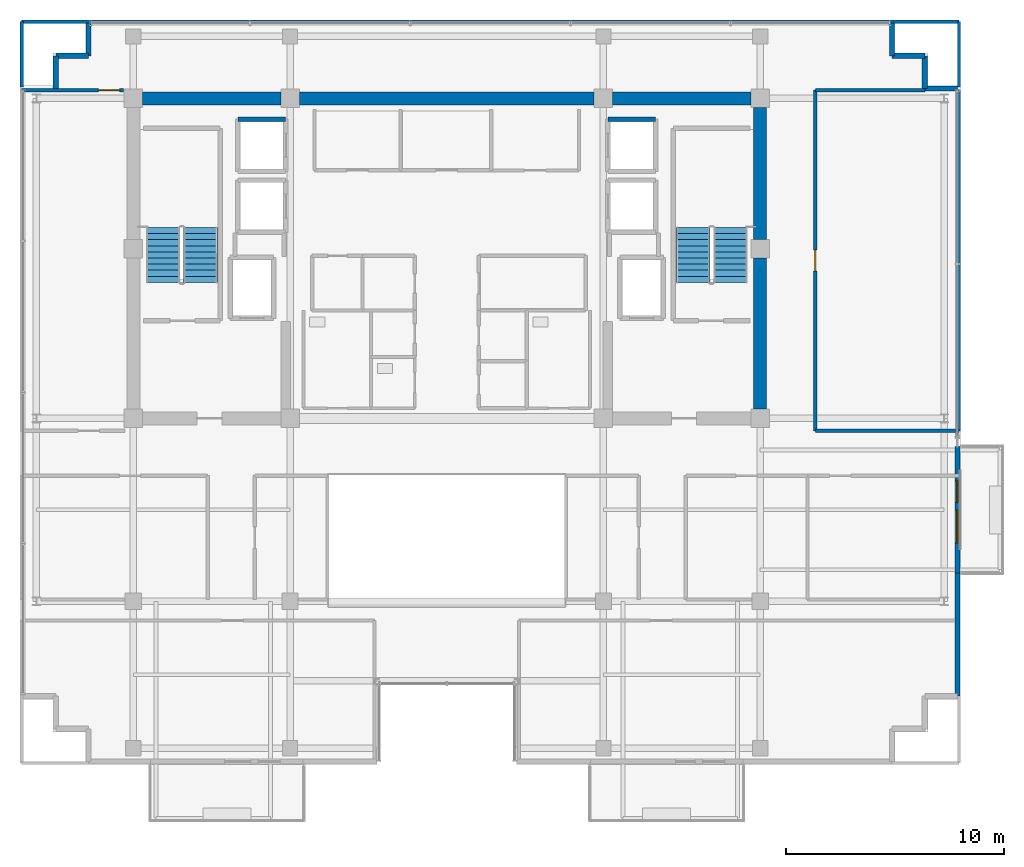
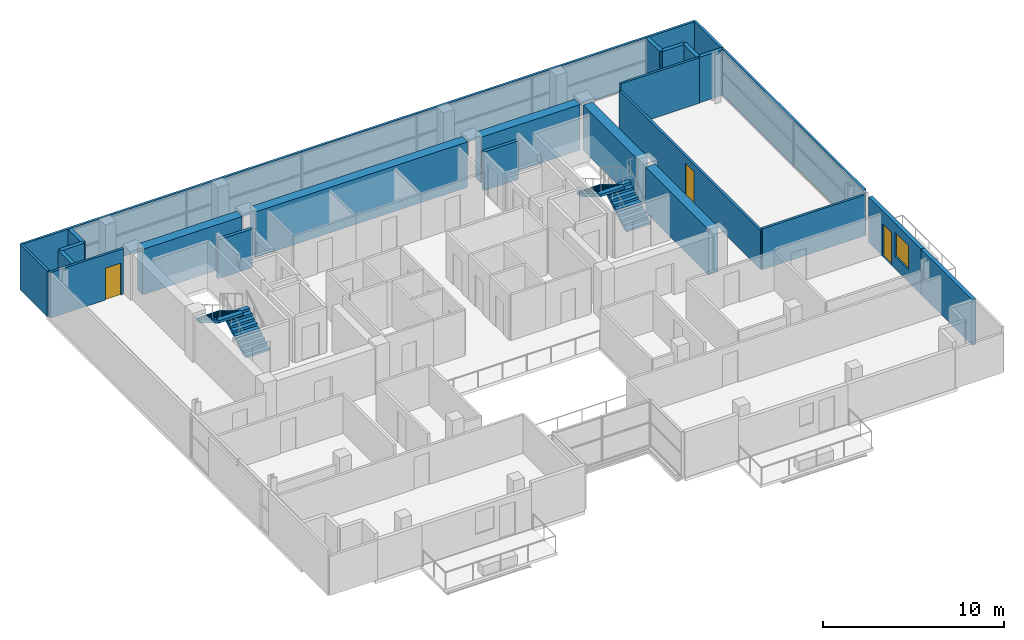
# One storey, part 18 of 22: 24 walls, 4 stair flights, 3 doors, 1 window, 4 openings, 2 elements without a shape of their own.
"""IFC4 building model written with IfcOpenShell, lengths in metres."""

import ifcopenshell
import ifcopenshell.guid

model = None  # the IFC model being written
_history = None  # IfcOwnerHistory: only IFC2X3 demands one
_inside = {}  # id of a spatial element -> (the spatial element, [elements in it])
_under = {}  # id of a project, library or spatial element -> (it, [spatial elements below it])
_declared = {}  # id of a project -> (the project, [libraries it declares])
_typed = {}  # id of a type object -> (the type object, [elements of that type])
_made_of = {}  # id of a material, layer set ... -> (it, [elements and type objects made of it])


def new_model(schema):
    """Start an empty IFC model of exactly this schema.

    Asked for "IFC4X3", IfcOpenShell would pick the latest addendum, in which some entities
    have other attributes; the version numbers below select the first issue.
    IFC2X3 requires an IfcOwnerHistory on every rooted entity: one is made here for all.
    """
    global model, _history
    if schema == "IFC4X3":
        model = ifcopenshell.file(schema_version=(4, 3, 0, 0))
    else:
        model = ifcopenshell.file(schema=schema)
    _inside.clear()
    _under.clear()
    _declared.clear()
    _typed.clear()
    _made_of.clear()
    _history = None
    if model.schema == "IFC2X3":
        org = make("IfcOrganization", Name="unknown")
        user = make(
            "IfcPersonAndOrganization",
            ThePerson=make("IfcPerson", FamilyName="unknown"),
            TheOrganization=org,
        )
        app = make(
            "IfcApplication",
            ApplicationDeveloper=org,
            Version="unknown",
            ApplicationFullName="unknown",
            ApplicationIdentifier="unknown",
        )
        _history = make(
            "IfcOwnerHistory",
            OwningUser=user,
            OwningApplication=app,
            ChangeAction="ADDED",
            CreationDate=0,
        )
    return model


def make(cls, **values):
    """One entity of the class cls with the attributes given. An attribute that is None is left unset."""
    return model.create_entity(
        cls, **{name: value for name, value in values.items() if value is not None}
    )


def rooted(cls, **values):
    """An entity with a GlobalId (a new one), such as an element, a storey or a relation."""
    return make(cls, GlobalId=ifcopenshell.guid.new(), OwnerHistory=_history, **values)


def si_unit(unit_type, name, prefix=None):
    """IfcSIUnit, for example si_unit("LENGTHUNIT", "METRE", prefix="MILLI")."""
    return make("IfcSIUnit", UnitType=unit_type, Prefix=prefix, Name=name)


def assignment(units):
    """IfcUnitAssignment: the units of a project."""
    return None if units is None else make("IfcUnitAssignment", Units=units)


def point(xyz):
    """IfcCartesianPoint."""
    return None if xyz is None else make("IfcCartesianPoint", Coordinates=xyz)


def direction(xyz):
    """IfcDirection."""
    return None if xyz is None else make("IfcDirection", DirectionRatios=xyz)


def frame(location, z_axis=None, x_axis=None):
    """IfcAxis2Placement3D, a coordinate frame: its origin and axes. An axis left out is left unset."""
    return make(
        "IfcAxis2Placement3D",
        Location=point(location),
        Axis=direction(z_axis),
        RefDirection=direction(x_axis),
    )


def frame_2d(location, x_axis=None):
    """IfcAxis2Placement2D, a coordinate frame in the plane: its origin and x axis."""
    return make(
        "IfcAxis2Placement2D", Location=point(location), RefDirection=direction(x_axis)
    )


def origin():
    """The frame at (0, 0, 0) with its axes left unset."""
    return frame((0.0, 0.0, 0.0))


def place(relative_to, where):
    """IfcLocalPlacement: puts the frame where relative to a parent placement (None: the world)."""
    return make(
        "IfcLocalPlacement", PlacementRelTo=relative_to, RelativePlacement=where
    )


def context(
    kind, dimensions, precision=None, world=None, true_north=None, identifier=None
):
    """IfcGeometricRepresentationContext, for example the 3D "Model" context."""
    return make(
        "IfcGeometricRepresentationContext",
        ContextIdentifier=identifier,
        ContextType=kind,
        CoordinateSpaceDimension=dimensions,
        Precision=precision,
        WorldCoordinateSystem=world,
        TrueNorth=true_north,
    )


def subcontext(parent, identifier, kind, view, scale=None):
    """IfcGeometricRepresentationSubContext, for example "Body" below "Model"."""
    return make(
        "IfcGeometricRepresentationSubContext",
        ContextIdentifier=identifier,
        ContextType=kind,
        ParentContext=parent,
        TargetScale=scale,
        TargetView=view,
    )


def project(units=None, contexts=None):
    """IfcProject with its units and contexts."""
    return rooted(
        "IfcProject",
        Name="project",
        RepresentationContexts=contexts,
        UnitsInContext=assignment(units),
    )


def spatial(cls, under=None, at=None, **own):
    """A site, building, storey or space (cls), placed at a placement, below another one or the project."""
    s = rooted(cls, ObjectPlacement=at, **own)
    if under is not None:
        _under.setdefault(under.id(), (under, []))[1].append(s)
    return s


def polyline(points):
    """IfcPolyline through the points."""
    return make("IfcPolyline", Points=[point(p) for p in points])


def profile(cls, at=None, kind="AREA", **sizes):
    """A parametric profile (cls). Its sizes go by their IFC names, for example OverallWidth=200.0."""
    return make(cls, ProfileType=kind, Position=at, **sizes)


def rectangle(**sizes):
    """IfcRectangleProfileDef."""
    return profile("IfcRectangleProfileDef", **sizes)


def outline(outer, holes=None, kind="AREA"):
    """IfcArbitraryClosedProfileDef: a profile drawn as a closed curve; with holes, ...WithVoids."""
    if holes is None:
        return make("IfcArbitraryClosedProfileDef", ProfileType=kind, OuterCurve=outer)
    return make(
        "IfcArbitraryProfileDefWithVoids",
        ProfileType=kind,
        OuterCurve=outer,
        InnerCurves=holes,
    )


def extrude(swept, where, along, depth):
    """IfcExtrudedAreaSolid: the profile swept, set in the frame where, extruded along a direction by depth."""
    return make(
        "IfcExtrudedAreaSolid",
        SweptArea=swept,
        Position=where,
        ExtrudedDirection=direction(along),
        Depth=depth,
    )


def shape(context_of_items, identifier, shape_type, items):
    """IfcShapeRepresentation: the items that make up one representation, for example the "Body"."""
    return make(
        "IfcShapeRepresentation",
        ContextOfItems=context_of_items,
        RepresentationIdentifier=identifier,
        RepresentationType=shape_type,
        Items=items,
    )


def source(mapping_origin, context_of_items, identifier, shape_type, items):
    """IfcRepresentationMap: a shape defined once, which mapped items show again and again."""
    return make(
        "IfcRepresentationMap",
        MappingOrigin=mapping_origin,
        MappedRepresentation=shape(context_of_items, identifier, shape_type, items),
    )


def transform(
    local_origin,
    x_axis=None,
    y_axis=None,
    z_axis=None,
    scale=None,
    scale2=None,
    scale3=None,
    uniform=True,
):
    """IfcCartesianTransformationOperator3D, or its non-uniform kind. x_axis, y_axis, z_axis: its Axis1, 2, 3."""
    if uniform:
        return make(
            "IfcCartesianTransformationOperator3D",
            Axis1=direction(x_axis),
            Axis2=direction(y_axis),
            LocalOrigin=point(local_origin),
            Scale=scale,
            Axis3=direction(z_axis),
        )
    return make(
        "IfcCartesianTransformationOperator3DnonUniform",
        Axis1=direction(x_axis),
        Axis2=direction(y_axis),
        LocalOrigin=point(local_origin),
        Scale=scale,
        Axis3=direction(z_axis),
        Scale2=scale2,
        Scale3=scale3,
    )


def mapped(mapping_source, mapping_target):
    """IfcMappedItem: shows the shape of a source again, moved by a transform."""
    return make(
        "IfcMappedItem", MappingSource=mapping_source, MappingTarget=mapping_target
    )


def material(Name=None, Category=None):
    """IfcMaterial."""
    return make("IfcMaterial", Name=Name, Category=Category)


def layer(
    of_material, thickness, ventilated=None, Name=None, Category=None, Priority=None
):
    """IfcMaterialLayer: one layer of a wall or slab, of a material (None: an air gap)."""
    return make(
        "IfcMaterialLayer",
        Material=of_material,
        LayerThickness=thickness,
        IsVentilated=ventilated,
        Name=Name,
        Category=Category,
        Priority=Priority,
    )


def layer_set(layers, Name=None):
    """IfcMaterialLayerSet."""
    return make("IfcMaterialLayerSet", MaterialLayers=layers, LayerSetName=Name)


def made_of(thing, what):
    """Note that an element or type object is made of a material, layer set ...; save() writes the relation."""
    if what is not None:
        _made_of.setdefault(what.id(), (what, []))[1].append(thing)
    return thing


def type_object(cls, material=None, **own):
    """A type object (cls), such as IfcWallType, which elements share."""
    return made_of(rooted(cls, **own), material)


def element(
    cls,
    number,
    at=None,
    inside=None,
    cuts=None,
    type_object=None,
    material=None,
    context=None,
    identifier="Body",
    shape_type=None,
    held_by="IfcProductDefinitionShape",
    body=None,
    shapes=None,
    **own,
):
    """One element of the class cls, such as IfcWall. Its Tag is "e" and its number.

    at: its placement. inside: the storey or other place that contains it. cuts: it is an
    opening in that element (IfcRelVoidsElement). A single representation is given by context,
    identifier, shape_type and body (its items); several are given by shapes. held_by: the class
    of the entity that holds the representations. save() writes the other relations.
    """
    e = rooted(cls, Tag="e%d" % number, ObjectPlacement=at, **own)
    if body is not None:
        shapes = [shape(context, identifier, shape_type, body)]
    if shapes is not None:
        e.Representation = make(held_by, Representations=shapes)
    if inside is not None:
        _inside.setdefault(inside.id(), (inside, []))[1].append(e)
    if cuts is not None:
        rooted(
            "IfcRelVoidsElement", RelatingBuildingElement=cuts, RelatedOpeningElement=e
        )
    if type_object is not None:
        _typed.setdefault(type_object.id(), (type_object, []))[1].append(e)
    return made_of(e, material)


def fill(opening, filler):
    """IfcRelFillsElement: the door or window that sits in an opening."""
    return rooted(
        "IfcRelFillsElement",
        RelatingOpeningElement=opening,
        RelatedBuildingElement=filler,
    )


def aggregate(whole, parts):
    """IfcRelAggregates: a whole, such as a stair, and the parts it consists of."""
    return rooted("IfcRelAggregates", RelatingObject=whole, RelatedObjects=parts)


def save(model, path):
    """Write the relations noted so far, then the file.

    IfcRelAggregates (storeys below a building ...), IfcRelContainedInSpatialStructure (elements
    in a storey), IfcRelDefinesByType, IfcRelAssociatesMaterial and IfcRelDeclares: one each for
    every whole, place, type object, material and project.
    """
    for whole, parts in _under.values():
        aggregate(whole, parts)
    for where, things in _inside.values():
        rooted(
            "IfcRelContainedInSpatialStructure",
            RelatedElements=things,
            RelatingStructure=where,
        )
    for kind, things in _typed.values():
        rooted("IfcRelDefinesByType", RelatedObjects=things, RelatingType=kind)
    for what, things in _made_of.values():
        rooted("IfcRelAssociatesMaterial", RelatedObjects=things, RelatingMaterial=what)
    for by, libraries in _declared.values():
        rooted("IfcRelDeclares", RelatingContext=by, RelatedDefinitions=libraries)
    model.write(path)


model = new_model("IFC4")

# Units and contexts
model_context = context("Model", 3, precision=1e-05, world=origin(), true_north=direction((0.0, 1.0)))
body_context = subcontext(model_context, "Body", "Model", "MODEL_VIEW")
ifc_project = project(units=[si_unit("LENGTHUNIT", "METRE"), si_unit("AREAUNIT", "SQUARE_METRE"), si_unit("VOLUMEUNIT", "CUBIC_METRE"), si_unit("PLANEANGLEUNIT", "RADIAN"), si_unit("MASSUNIT", "GRAM", prefix="KILO")], contexts=[model_context])

# Site, building, storey
site_placement = place(None, origin())
site = spatial("IfcSite", under=ifc_project, at=site_placement, CompositionType="ELEMENT")
building_placement = place(site_placement, origin())
building = spatial("IfcBuilding", under=site, at=building_placement, Name="Zarnakvel Exchange Tower", CompositionType="ELEMENT")
storey_placement = place(building_placement, frame((0.0, 0.0, 245.199951171875)))
storey = spatial("IfcBuildingStorey", under=building, at=storey_placement, Name="L69", CompositionType="ELEMENT", Elevation=245.199951171875)

# Walls
ifc_material_1 = material(Name="Concrete C50/60", Category="concrete")
ifc_layer_1 = layer(ifc_material_1, 0.60009765625)
ifc_layer_set_1 = layer_set([ifc_layer_1], Name="Concrete C50/60")
wall_type_1 = type_object("IfcWallType", Name="CW-C5", PredefinedType="SHEAR", material=ifc_layer_set_1)
wall_1_placement = place(storey_placement, frame((-13.97509765625, 13.5, 0.0), z_axis=(0.0, 0.0, 1.0), x_axis=(1.0, 0.0, 0.0)))
element("IfcWall", 1, at=wall_1_placement, inside=storey, type_object=wall_type_1, Name="L69 Rear Core Shear Wall N1 (CW-C5)", PredefinedType="SHEAR", context=body_context, shape_type="SweptSolid", body=[
    extrude(rectangle(XDim=6.35009765625, YDim=0.60009765625, at=frame_2d((3.175048828125, 0.0))), origin(), (0.0, 0.0, 1.0), 3.074951171875),
])
wall_2_placement = place(storey_placement, frame((-6.77490234375, 13.5, 0.0), z_axis=(0.0, 0.0, 1.0), x_axis=(1.0, 0.0, 0.0)))
element("IfcWall", 2, at=wall_2_placement, inside=storey, type_object=wall_type_1, Name="L69 Rear Core Shear Wall N2 (CW-C5)", PredefinedType="SHEAR", context=body_context, shape_type="SweptSolid", body=[
    extrude(rectangle(XDim=13.5498046875, YDim=0.60009765625, at=frame_2d((6.77490234375, 0.0))), origin(), (0.0, 0.0, 1.0), 3.074951171875),
])
wall_3_placement = place(storey_placement, frame((7.625, 13.5, 0.0), z_axis=(0.0, 0.0, 1.0), x_axis=(1.0, 0.0, 0.0)))
element("IfcWall", 3, at=wall_3_placement, inside=storey, type_object=wall_type_1, Name="L69 Rear Core Shear Wall N3 (CW-C5)", PredefinedType="SHEAR", context=body_context, shape_type="SweptSolid", body=[
    extrude(rectangle(XDim=6.35009765625, YDim=0.60009765625, at=frame_2d((3.175048828125, 0.0))), origin(), (0.0, 0.0, 1.0), 3.074951171875),
])
wall_4_placement = place(storey_placement, frame((14.39990234375, -0.77490234375, 0.0), z_axis=(0.0, 0.0, 1.0), x_axis=(0.0, 1.0, 0.0)))
element("IfcWall", 4, at=wall_4_placement, inside=storey, type_object=wall_type_1, Name="L69 Rear Core Shear Wall E1 (CW-C5)", PredefinedType="SHEAR", context=body_context, shape_type="SweptSolid", body=[
    extrude(rectangle(XDim=6.949951171875, YDim=0.60009765625, at=frame_2d((3.47509765625, 0.0))), origin(), (0.0, 0.0, 1.0), 3.074951171875),
])
wall_5_placement = place(storey_placement, frame((14.39990234375, 7.02490234375, 0.0), z_axis=(0.0, 0.0, 1.0), x_axis=(0.0, 1.0, 0.0)))
element("IfcWall", 5, at=wall_5_placement, inside=storey, type_object=wall_type_1, Name="L69 Rear Core Shear Wall E2 (CW-C5)", PredefinedType="SHEAR", context=body_context, shape_type="SweptSolid", body=[
    extrude(rectangle(XDim=6.050048828125, YDim=0.60009765625, at=frame_2d((3.02490234375, 0.0))), origin(), (0.0, 0.0, 1.0), 3.074951171875),
])

# Wall, openings, door, window
ifc_material_2 = material(Name="Precast concrete C40/50", Category="concrete")
ifc_layer_2 = layer(ifc_material_2, 0.239990234375)
ifc_layer_set_2 = layer_set([ifc_layer_2], Name="Precast concrete C40/50")
wall_type_2 = type_object("IfcWallType", Name="EW-02", PredefinedType="SOLIDWALL", material=ifc_layer_set_2)
wall_6_placement = place(storey_placement, frame((23.4599609375, -2.5, 0.0), z_axis=(0.0, 0.0, 1.0), x_axis=(0.0, -1.0, 0.0)))
wall_6 = element("IfcWall", 6, at=wall_6_placement, inside=storey, type_object=wall_type_2, Name="L69 Exterior Precast Spandrel Wall EW-BAL-L69-E (EW-02)", PredefinedType="SOLIDWALL", context=body_context, shape_type="SweptSolid", body=[
    extrude(rectangle(XDim=5.800048828125, YDim=0.239990234375, at=frame_2d((2.89990234375, 0.0))), origin(), (0.0, 0.0, 1.0), 3.074951171875),
])
opening_1_placement = place(wall_6_placement, frame((1.56591796875, 0.0, 0.0)))
opening_1 = element("IfcOpeningElement", 7, at=opening_1_placement, cuts=wall_6, Name="Opening BD-L69-03", PredefinedType="OPENING", context=body_context, shape_type="SweptSolid", body=[
    extrude(rectangle(XDim=1.0, YDim=2.199951171875, at=frame_2d((0.5, 1.10009765625))), frame((0.0, 0.1298828125, 0.0), z_axis=(0.0, -1.0, 0.0), x_axis=(1.0, 0.0, 0.0)), (0.0, 0.0, 1.0), 0.260009765625),
])
opening_2_placement = place(wall_6_placement, frame((2.916015625, 0.0, 0.85009765625)))
opening_2 = element("IfcOpeningElement", 8, at=opening_2_placement, cuts=wall_6, Name="Opening WN-03", PredefinedType="OPENING", context=body_context, shape_type="SweptSolid", body=[
    extrude(rectangle(XDim=1.5, YDim=1.60009765625, at=frame_2d((0.75, 0.800048828125))), frame((0.0, 0.1298828125, 0.0), z_axis=(0.0, -1.0, 0.0), x_axis=(1.0, 0.0, 0.0)), (0.0, 0.0, 1.0), 0.260009765625),
])
ifc_material_3 = material(Name="Architectural Bronze Anodised Aluminium", Category="aluminium")
door_type_1 = type_object("IfcDoorType", Name="DT-09", OperationType="NOTDEFINED", PredefinedType="DOOR", material=ifc_material_3)
shared_shape_1 = source(origin(), body_context, "Body", "SweptSolid", [
    extrude(rectangle(XDim=1.0, YDim=2.199951171875, at=frame_2d((0.5, 1.10009765625))), frame((0.0, 0.02490234375, 0.0), z_axis=(0.0, -1.0, 0.0), x_axis=(1.0, 0.0, 0.0)), (0.0, 0.0, 1.0), 0.050048828125),
])
door_1_placement = place(opening_1_placement, origin())
door_1 = element("IfcDoor", 9, at=door_1_placement, inside=storey, type_object=door_type_1, Name="L69 Planted Loggia Balcony Door BD-L69-03", OperationType="SINGLE_SWING_LEFT", OverallHeight=2.199951171875, OverallWidth=1.0, PredefinedType="DOOR", context=body_context, shape_type="MappedRepresentation", body=[
    mapped(shared_shape_1, transform((0.0, 0.0, 0.0), x_axis=(1.0, 0.0, 0.0), y_axis=(0.0, 1.0, 0.0), z_axis=(0.0, 0.0, 1.0), scale=1.0)),
])
fill(opening_1, door_1)
ifc_material_4 = material(Name="Double Low-E Laminated Vision Glass", Category="glass")
window_type = type_object("IfcWindowType", Name="WN-03", PartitioningType="SINGLE_PANEL", PredefinedType="WINDOW", material=ifc_material_4)
shared_shape_2 = source(origin(), body_context, "Body", "SweptSolid", [
    extrude(rectangle(XDim=1.5, YDim=1.60009765625, at=frame_2d((0.75, 0.800048828125))), frame((0.0, 0.030029296875, 0.0), z_axis=(0.0, -1.0, 0.0), x_axis=(1.0, 0.0, 0.0)), (0.0, 0.0, 1.0), 0.06005859375),
])
window_placement = place(opening_2_placement, origin())
window = element("IfcWindow", 10, at=window_placement, inside=storey, type_object=window_type, Name="L69 Loggia Daylight Window (WN-03)", OverallHeight=1.60009765625, OverallWidth=1.5, PartitioningType="SINGLE_PANEL", PredefinedType="WINDOW", context=body_context, shape_type="MappedRepresentation", body=[
    mapped(shared_shape_2, transform((0.0, 0.0, 0.0), x_axis=(1.0, 0.0, 0.0), y_axis=(0.0, 1.0, 0.0), z_axis=(0.0, 0.0, 1.0), scale=1.0)),
])
fill(opening_2, window)

# Walls
for number, where, z_axis, x_axis, name in (
    (11, (-17.9599609375, 15.4599609375, 0.0), (0.0, 0.0, 1.0), (0.0, -1.0, 0.0), "L69 Exterior Precast Spandrel Wall EWC-L69-02 (EW-02)"),
    (12, (-16.4599609375, 15.4599609375, 0.0), (0.0, 0.0, 1.0), (-1.0, 0.0, 0.0), "L69 Exterior Precast Spandrel Wall EWC-L69-03 (EW-02)"),
    (13, (-16.4599609375, 16.9599609375, 0.0), (0.0, 0.0, 1.0), (0.0, -1.0, 0.0), "L69 Exterior Precast Spandrel Wall EWC-L69-04 (EW-02)"),
    (14, (20.4599609375, 15.4599609375, 0.0), (0.0, 0.0, 1.0), (0.0, 1.0, 0.0), "L69 Exterior Precast Spandrel Wall EWC-L69-05 (EW-02)"),
    (15, (21.9599609375, 15.4599609375, 0.0), (0.0, 0.0, 1.0), (-1.0, 0.0, 0.0), "L69 Exterior Precast Spandrel Wall EWC-L69-06 (EW-02)"),
    (16, (21.9599609375, 13.9599609375, 0.0), (0.0, 0.0, 1.0), (0.0, 1.0, 0.0), "L69 Exterior Precast Spandrel Wall EWC-L69-07 (EW-02)"),
    (17, (23.4599609375, 13.9599609375, 0.0), (0.0, 0.0, 1.0), (-1.0, 0.0, 0.0), "L69 Exterior Precast Spandrel Wall EWC-L69-08 (EW-02)"),
):
    element("IfcWall", number, at=place(storey_placement, frame(where, z_axis=z_axis, x_axis=x_axis)), inside=storey, type_object=wall_type_2, Name=name, PredefinedType="SOLIDWALL", context=body_context, shape_type="SweptSolid", body=[
        extrude(rectangle(XDim=1.5, YDim=0.239990234375, at=frame_2d((0.75, 0.0))), origin(), (0.0, 0.0, 1.0), 3.074951171875),
    ])
wall_7_placement = place(storey_placement, frame((23.4599609375, -13.9599609375, 0.0), z_axis=(0.0, 0.0, 1.0), x_axis=(0.0, 1.0, 0.0)))
element("IfcWall", 18, at=wall_7_placement, inside=storey, type_object=wall_type_2, Name="L69 Exterior Precast Spandrel Wall EWC-L69-10 (EW-02)", PredefinedType="SOLIDWALL", context=body_context, shape_type="SweptSolid", body=[
    extrude(rectangle(XDim=5.659912109375, YDim=0.239990234375, at=frame_2d((2.830078125, 0.0))), origin(), (0.0, 0.0, 1.0), 3.074951171875),
])

# Wall, opening, door
ifc_material_5 = material(Name="Fire-Rated Gypsum Stud Partition", Category="gypsum")
ifc_layer_3 = layer(ifc_material_5, 0.14990234375)
ifc_layer_set_3 = layer_set([ifc_layer_3], Name="Fire-Rated Gypsum Stud Partition")
wall_type_3 = type_object("IfcWallType", Name="PT-01", PredefinedType="PARTITIONING", material=ifc_layer_set_3)
wall_8_placement = place(storey_placement, frame((-19.530029296875, 13.8798828125, 0.0), z_axis=(0.0, 0.0, 1.0), x_axis=(1.0, 0.0, 0.0)))
wall_8 = element("IfcWall", 19, at=wall_8_placement, inside=storey, type_object=wall_type_3, Name="L69 Partition Wall PWALL-L69-072 (PT-01)", PredefinedType="PARTITIONING", context=body_context, shape_type="SweptSolid", body=[
    extrude(rectangle(XDim=4.68505859375, YDim=0.14990234375, at=frame_2d((2.342529296875, 0.0))), origin(), (0.0, 0.0, 1.0), 3.074951171875),
])
opening_3_placement = place(wall_8_placement, frame((3.52490234375, 0.0, 0.0)))
opening_3 = element("IfcOpeningElement", 20, at=opening_3_placement, cuts=wall_8, Name="Opening D-L69-26", PredefinedType="OPENING", context=body_context, shape_type="SweptSolid", body=[
    extrude(rectangle(XDim=0.97998046875, YDim=2.14990234375, at=frame_2d((0.489990234375, 1.074951171875))), frame((0.0, 0.0849609375, 0.0), z_axis=(0.0, -1.0, 0.0), x_axis=(1.0, 0.0, 0.0)), (0.0, 0.0, 1.0), 0.169921875),
])
ifc_material_6 = material(Name="Timber Acoustic Veneer", Category="wood")
door_type_2 = type_object("IfcDoorType", Name="DT-05", OperationType="NOTDEFINED", PredefinedType="DOOR", material=ifc_material_6)
shared_shape_3 = source(origin(), body_context, "Body", "SweptSolid", [
    extrude(rectangle(XDim=0.97998046875, YDim=2.14990234375, at=frame_2d((0.489990234375, 1.074951171875))), frame((0.0, 0.02490234375, 0.0), z_axis=(0.0, -1.0, 0.0), x_axis=(1.0, 0.0, 0.0)), (0.0, 0.0, 1.0), 0.050048828125),
])
door_2_placement = place(opening_3_placement, origin())
door_2 = element("IfcDoor", 21, at=door_2_placement, inside=storey, type_object=door_type_2, Name="L69 Risk Analytics Suite Door D-L69-26", OperationType="SINGLE_SWING_RIGHT", OverallHeight=2.14990234375, OverallWidth=0.97998046875, PredefinedType="DOOR", context=body_context, shape_type="MappedRepresentation", body=[
    mapped(shared_shape_3, transform((0.0, 0.0, 0.0), x_axis=(1.0, 0.0, 0.0), y_axis=(0.0, 1.0, 0.0), z_axis=(0.0, 0.0, 1.0), scale=1.0)),
])
fill(opening_3, door_2)

# Walls
wall_9_placement = place(storey_placement, frame((23.530029296875, -1.77001953125, 0.0), z_axis=(0.0, 0.0, 1.0), x_axis=(-1.0, 0.0, 0.0)))
element("IfcWall", 22, at=wall_9_placement, inside=storey, type_object=wall_type_3, Name="L69 Partition Wall PWALL-L69-074 (PT-01)", PredefinedType="PARTITIONING", context=body_context, shape_type="SweptSolid", body=[
    extrude(rectangle(XDim=6.60009765625, YDim=0.14990234375, at=frame_2d((3.300048828125, 0.0))), origin(), (0.0, 0.0, 1.0), 2.76513671875),
])
wall_10_placement = place(storey_placement, frame((16.929931640625, 13.8798828125, 0.0), z_axis=(0.0, 0.0, 1.0), x_axis=(1.0, 0.0, 0.0)))
element("IfcWall", 23, at=wall_10_placement, inside=storey, type_object=wall_type_3, Name="L69 Partition Wall PWALL-L69-075 (PT-01)", PredefinedType="PARTITIONING", context=body_context, shape_type="SweptSolid", body=[
    extrude(rectangle(XDim=5.030029296875, YDim=0.14990234375, at=frame_2d((2.51513671875, 0.0))), origin(), (0.0, 0.0, 1.0), 3.074951171875),
])

# Wall, opening, door
wall_11_placement = place(storey_placement, frame((16.929931640625, -1.77001953125, 0.0), z_axis=(0.0, 0.0, 1.0), x_axis=(0.0, 1.0, 0.0)))
wall_11 = element("IfcWall", 24, at=wall_11_placement, inside=storey, type_object=wall_type_3, Name="L69 Partition Wall PWALL-L69-076 (PT-01)", PredefinedType="PARTITIONING", context=body_context, shape_type="SweptSolid", body=[
    extrude(rectangle(XDim=15.64990234375, YDim=0.14990234375, at=frame_2d((7.824951171875, 0.0))), origin(), (0.0, 0.0, 1.0), 2.614990234375),
])
opening_4_placement = place(wall_11_placement, frame((7.3349609375, 0.0, 0.0)))
opening_4 = element("IfcOpeningElement", 25, at=opening_4_placement, cuts=wall_11, Name="Opening D-L69-25", PredefinedType="OPENING", context=body_context, shape_type="SweptSolid", body=[
    extrude(rectangle(XDim=0.97998046875, YDim=2.14990234375, at=frame_2d((0.489990234375, 1.074951171875))), frame((0.0, 0.0849609375, 0.0), z_axis=(0.0, -1.0, 0.0), x_axis=(1.0, 0.0, 0.0)), (0.0, 0.0, 1.0), 0.169921875),
])
door_3_placement = place(opening_4_placement, origin())
door_3 = element("IfcDoor", 26, at=door_3_placement, inside=storey, type_object=door_type_2, Name="L69 Staff Pantry Door D-L69-25", OperationType="SINGLE_SWING_LEFT", OverallHeight=2.14990234375, OverallWidth=0.97998046875, PredefinedType="DOOR", context=body_context, shape_type="MappedRepresentation", body=[
    mapped(shared_shape_3, transform((0.0, 0.0, 0.0), x_axis=(1.0, 0.0, 0.0), y_axis=(0.0, 1.0, 0.0), z_axis=(0.0, 0.0, 1.0), scale=1.0)),
])
fill(opening_4, door_3)

# Walls
wall_12_placement = place(storey_placement, frame((23.530029296875, 13.8798828125, 0.0), z_axis=(0.0, 0.0, 1.0), x_axis=(0.0, -1.0, 0.0)))
element("IfcWall", 27, at=wall_12_placement, inside=storey, type_object=wall_type_3, Name="L69 Partition Wall PWALL-L69-077 (PT-01)", PredefinedType="PARTITIONING", context=body_context, shape_type="SweptSolid", body=[
    extrude(rectangle(XDim=15.64990234375, YDim=0.14990234375, at=frame_2d((7.824951171875, 0.0))), origin(), (0.0, 0.0, 1.0), 3.074951171875),
])
wall_13_placement = place(storey_placement, frame((-19.530029296875, 17.030029296875, 0.0), z_axis=(0.0, 0.0, 1.0), x_axis=(1.0, 0.0, 0.0)))
element("IfcWall", 28, at=wall_13_placement, inside=storey, type_object=wall_type_3, Name="L69 Partition Wall PWALL-L69-078 (PT-01)", PredefinedType="PARTITIONING", context=body_context, shape_type="SweptSolid", body=[
    extrude(rectangle(XDim=43.06005859375, YDim=0.14990234375, at=frame_2d((21.530029296875, 0.0))), origin(), (0.0, 0.0, 1.0), 3.074951171875),
])
for number, where, z_axis, x_axis, name in (
    (29, (-19.530029296875, 14.030029296875, 0.0), (0.0, 0.0, 1.0), (0.0, 1.0, 0.0), "L69 Partition Wall PWALL-L69-079 (PT-01)"),
    (30, (23.530029296875, 17.030029296875, 0.0), (0.0, 0.0, 1.0), (0.0, -1.0, 0.0), "L69 Partition Wall PWALL-L69-080 (PT-01)"),
):
    element("IfcWall", number, at=place(storey_placement, frame(where, z_axis=z_axis, x_axis=x_axis)), inside=storey, type_object=wall_type_3, Name=name, PredefinedType="PARTITIONING", context=body_context, shape_type="SweptSolid", body=[
        extrude(rectangle(XDim=3.0, YDim=0.14990234375, at=frame_2d((1.5, 0.0))), origin(), (0.0, 0.0, 1.0), 3.074951171875),
    ])
ifc_material_7 = material(Name="Concrete C40/50", Category="concrete")
ifc_layer_4 = layer(ifc_material_7, 0.199951171875)
ifc_layer_set_4 = layer_set([ifc_layer_4], Name="Concrete C40/50")
wall_type_4 = type_object("IfcWallType", Name="SW-01", PredefinedType="SOLIDWALL", material=ifc_layer_set_4)
for number, where, z_axis, x_axis, name in (
    (31, (-9.60009765625, 12.550048828125, 0.0), (0.0, 0.0, 1.0), (1.0, 0.0, 0.0), "L69 PL-10 Hoistway Wall North"),
    (32, (7.39990234375, 12.550048828125, 0.0), (0.0, 0.0, 1.0), (1.0, 0.0, 0.0), "L69 PL-12 Hoistway Wall North"),
):
    element("IfcWall", number, at=place(storey_placement, frame(where, z_axis=z_axis, x_axis=x_axis)), inside=storey, type_object=wall_type_4, Name=name, PredefinedType="SOLIDWALL", context=body_context, shape_type="SweptSolid", body=[
        extrude(rectangle(XDim=2.2001953125, YDim=0.199951171875, at=frame_2d((1.10009765625, 0.0))), origin(), (0.0, 0.0, 1.0), 2.614990234375),
    ])

# Stair, stair flights
stair_type = type_object("IfcStairType", Name="STR-01", PredefinedType="HALF_TURN_STAIR", material=ifc_material_7)
stair_1_placement = place(storey_placement, origin())
stair_1 = element("IfcStair", 33, at=stair_1_placement, inside=storey, type_object=stair_type, Name="L69 Protected Core Exit Stair ST-01", PredefinedType="HALF_TURN_STAIR")
stair_flight_type = type_object("IfcStairFlightType", Name="FLT-01", PredefinedType="STRAIGHT", material=ifc_material_7)
stair_flight_1_placement = place(storey_placement, frame((-11.31494140625, 5.050048828125, 0.0), z_axis=(0.0, 0.0, 1.0), x_axis=(0.0, 1.0, 0.0)))
stair_flight_1 = element("IfcStairFlight", 34, at=stair_flight_1_placement, type_object=stair_flight_type, Name="ST-01 flight 1", NumberOfRisers=10, NumberOfTreads=9, PredefinedType="STRAIGHT", RiserHeight=0.165, TreadLength=0.28, context=body_context, shape_type="SweptSolid", body=[
    extrude(outline(polyline([(0.0, 0.0), (0.0, 0.1650390625), (0.280029296875, 0.1650390625), (0.280029296875, 0.330078125), (0.56005859375, 0.330078125), (0.56005859375, 0.4951171875), (0.840087890625, 0.4951171875), (0.840087890625, 0.659912109375), (1.1201171875, 0.659912109375), (1.1201171875, 0.824951171875), (1.39990234375, 0.824951171875), (1.39990234375, 0.989990234375), (1.679931640625, 0.989990234375), (1.679931640625, 1.155029296875), (1.9599609375, 1.155029296875), (1.9599609375, 1.320068359375), (2.239990234375, 1.320068359375), (2.239990234375, 1.485107421875), (2.52001953125, 1.485107421875), (2.52001953125, 1.64990234375), (2.52001953125, 1.31103515625), (0.295166015625, 0.0), (0.0, 0.0)])), frame((0.0, 0.77490234375, 0.0), z_axis=(0.0, -1.0, 0.0), x_axis=(1.0, 0.0, 0.0)), (0.0, 0.0, 1.0), 1.550048828125),
])
stair_flight_2_placement = place(storey_placement, frame((-13.02490234375, 7.570068359375, 1.650146484375), z_axis=(0.0, 0.0, 1.0), x_axis=(0.0, -1.0, 0.0)))
stair_flight_2 = element("IfcStairFlight", 35, at=stair_flight_2_placement, type_object=stair_flight_type, Name="ST-01 flight 2", NumberOfRisers=10, NumberOfTreads=9, PredefinedType="STRAIGHT", RiserHeight=0.165, TreadLength=0.28, context=body_context, shape_type="SweptSolid", body=[
    extrude(outline(polyline([(0.0, 0.0), (0.0, 0.1650390625), (0.280029296875, 0.1650390625), (0.280029296875, 0.330078125), (0.56005859375, 0.330078125), (0.56005859375, 0.4951171875), (0.840087890625, 0.4951171875), (0.840087890625, 0.659912109375), (1.1201171875, 0.659912109375), (1.1201171875, 0.824951171875), (1.39990234375, 0.824951171875), (1.39990234375, 0.989990234375), (1.679931640625, 0.989990234375), (1.679931640625, 1.155029296875), (1.9599609375, 1.155029296875), (1.9599609375, 1.320068359375), (2.239990234375, 1.320068359375), (2.239990234375, 1.485107421875), (2.52001953125, 1.485107421875), (2.52001953125, 1.64990234375), (2.52001953125, 1.31103515625), (0.295166015625, 0.0), (0.0, 0.0)])), frame((0.0, 0.77490234375, 0.0), z_axis=(0.0, -1.0, 0.0), x_axis=(1.0, 0.0, 0.0)), (0.0, 0.0, 1.0), 1.550048828125),
])
aggregate(stair_1, [stair_flight_1, stair_flight_2])

stair_2_placement = place(storey_placement, origin())
stair_2 = element("IfcStair", 36, at=stair_2_placement, inside=storey, type_object=stair_type, Name="L69 Protected Core Exit Stair ST-02", PredefinedType="HALF_TURN_STAIR")
stair_flight_3_placement = place(storey_placement, frame((13.02490234375, 5.050048828125, 0.0), z_axis=(0.0, 0.0, 1.0), x_axis=(0.0, 1.0, 0.0)))
stair_flight_3 = element("IfcStairFlight", 37, at=stair_flight_3_placement, type_object=stair_flight_type, Name="ST-02 flight 1", NumberOfRisers=10, NumberOfTreads=9, PredefinedType="STRAIGHT", RiserHeight=0.165, TreadLength=0.28, context=body_context, shape_type="SweptSolid", body=[
    extrude(outline(polyline([(0.0, 0.0), (0.0, 0.1650390625), (0.280029296875, 0.1650390625), (0.280029296875, 0.330078125), (0.56005859375, 0.330078125), (0.56005859375, 0.4951171875), (0.840087890625, 0.4951171875), (0.840087890625, 0.659912109375), (1.1201171875, 0.659912109375), (1.1201171875, 0.824951171875), (1.39990234375, 0.824951171875), (1.39990234375, 0.989990234375), (1.679931640625, 0.989990234375), (1.679931640625, 1.155029296875), (1.9599609375, 1.155029296875), (1.9599609375, 1.320068359375), (2.239990234375, 1.320068359375), (2.239990234375, 1.485107421875), (2.52001953125, 1.485107421875), (2.52001953125, 1.64990234375), (2.52001953125, 1.31103515625), (0.295166015625, 0.0), (0.0, 0.0)])), frame((0.0, 0.77490234375, 0.0), z_axis=(0.0, -1.0, 0.0), x_axis=(1.0, 0.0, 0.0)), (0.0, 0.0, 1.0), 1.550048828125),
])
stair_flight_4_placement = place(storey_placement, frame((11.31494140625, 7.570068359375, 1.650146484375), z_axis=(0.0, 0.0, 1.0), x_axis=(0.0, -1.0, 0.0)))
stair_flight_4 = element("IfcStairFlight", 38, at=stair_flight_4_placement, type_object=stair_flight_type, Name="ST-02 flight 2", NumberOfRisers=10, NumberOfTreads=9, PredefinedType="STRAIGHT", RiserHeight=0.165, TreadLength=0.28, context=body_context, shape_type="SweptSolid", body=[
    extrude(outline(polyline([(0.0, 0.0), (0.0, 0.1650390625), (0.280029296875, 0.1650390625), (0.280029296875, 0.330078125), (0.56005859375, 0.330078125), (0.56005859375, 0.4951171875), (0.840087890625, 0.4951171875), (0.840087890625, 0.659912109375), (1.1201171875, 0.659912109375), (1.1201171875, 0.824951171875), (1.39990234375, 0.824951171875), (1.39990234375, 0.989990234375), (1.679931640625, 0.989990234375), (1.679931640625, 1.155029296875), (1.9599609375, 1.155029296875), (1.9599609375, 1.320068359375), (2.239990234375, 1.320068359375), (2.239990234375, 1.485107421875), (2.52001953125, 1.485107421875), (2.52001953125, 1.64990234375), (2.52001953125, 1.31103515625), (0.295166015625, 0.0), (0.0, 0.0)])), frame((0.0, 0.77490234375, 0.0), z_axis=(0.0, -1.0, 0.0), x_axis=(1.0, 0.0, 0.0)), (0.0, 0.0, 1.0), 1.550048828125),
])
aggregate(stair_2, [stair_flight_3, stair_flight_4])

save(model, "model.ifc")
